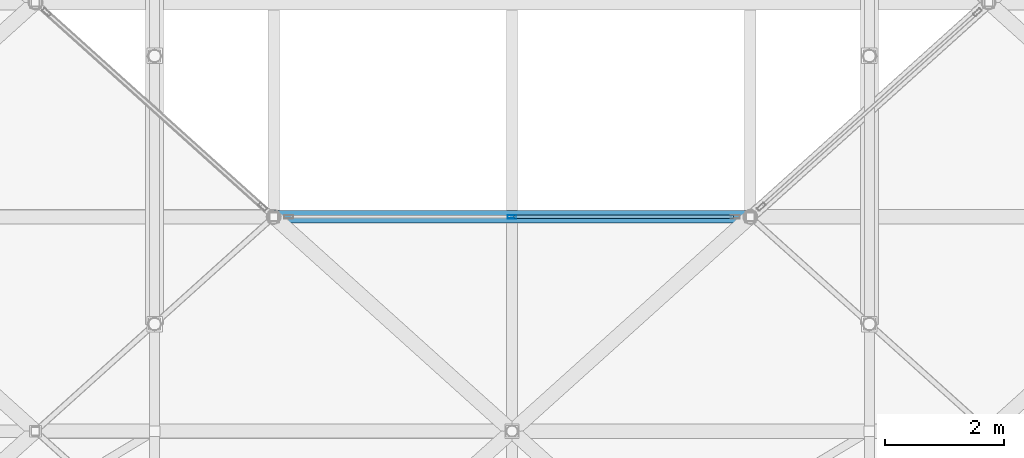
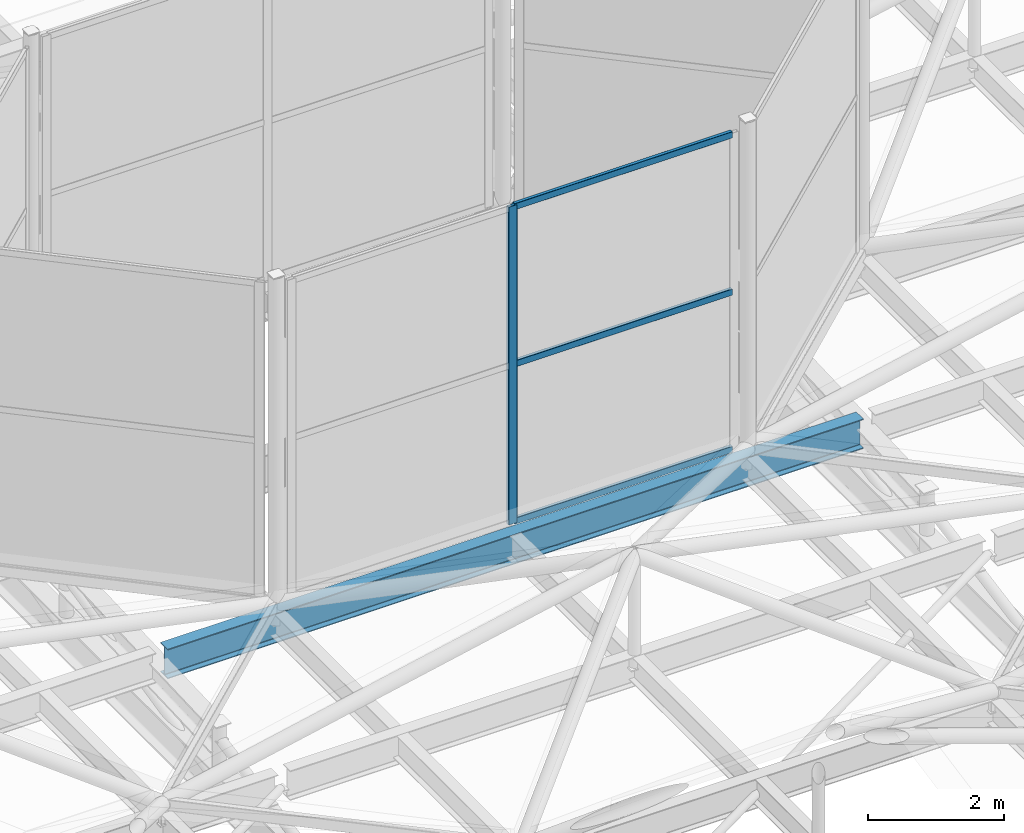
# One storey, part 24 of 239: 4 members, 1 beam, 1 element without a shape of its own.
"""IFC4 building model written with IfcOpenShell, lengths in metres."""

from ifc_helpers import new_model, si_unit, direction, frame, origin, origin_2d, place, context, subcontext, project, spatial, hollow_rectangle, i_section, extrude, material, layer, layer_set, material_profile, profile_set, type_object, element, aggregate, save


model = new_model("IFC4")

# Units and contexts
model_context = context("Model", 3, precision=1e-05, world=origin(), true_north=direction((0.0, 1.0)))
body_context = subcontext(model_context, "Body", "Model", "MODEL_VIEW")
ifc_project = project(units=[si_unit("LENGTHUNIT", "METRE"), si_unit("AREAUNIT", "SQUARE_METRE"), si_unit("VOLUMEUNIT", "CUBIC_METRE"), si_unit("PLANEANGLEUNIT", "RADIAN"), si_unit("MASSUNIT", "GRAM", prefix="KILO")], contexts=[model_context])

# Site, building, storey
site_placement = place(None, origin())
site = spatial("IfcSite", under=ifc_project, at=site_placement, CompositionType="ELEMENT")
building_placement = place(site_placement, origin())
building = spatial("IfcBuilding", under=site, at=building_placement, Name="Dunvalen Ferry Terminal", CompositionType="ELEMENT")
storey_placement = place(building_placement, frame((0.0, 0.0, 9.840087890625)))
storey = spatial("IfcBuildingStorey", under=building, at=storey_placement, Name="L02", CompositionType="ELEMENT", Elevation=9.840087890625)

# Curtain wall, members
ifc_material_1 = material(Name="Anodised marine aluminium and solar-control glazing", Category="aluminium")
ifc_layer = layer(ifc_material_1, 0.179931640625, Name="Anodised marine aluminium and solar-control glazing")
ifc_layer_set = layer_set([ifc_layer], Name="Anodised marine aluminium and solar-control glazing")
curtain_wall_type = type_object("IfcCurtainWallType", Name="ENV-CW-SYS-06", PredefinedType="NOTDEFINED", material=ifc_layer_set)
curtain_wall_placement = place(storey_placement, origin())
curtain_wall = element("IfcCurtainWall", 1, at=curtain_wall_placement, inside=storey, type_object=curtain_wall_type, Name="L02 Curtain Wall CW-HEX-25-SK-2", PredefinedType="NOTDEFINED")
ifc_material_2 = material(Name="Anodised marine aluminium EN AW-6063 T6", Category="aluminium")
ifc_material_profile_1 = material_profile(ifc_material_2, hollow_rectangle(XDim=0.06005859375, YDim=0.14990234375, WallThickness=0.00341796875, InnerFilletRadius=0.00341796875, OuterFilletRadius=0.007080078125, at=origin_2d()), Name="Anodised marine aluminium EN AW-6063 T6")
ifc_profile_set_1 = profile_set([ifc_material_profile_1], Name="Anodised marine aluminium EN AW-6063 T6")
member_type_1 = type_object("IfcMemberType", Name="ENV-CW-MUL-3", PredefinedType="MULLION", material=ifc_profile_set_1)
member_1_placement = place(storey_placement, frame((54.0, 61.199951171875, 1.139892578125), z_axis=(0.0, 0.0, 1.0), x_axis=(0.0, 1.0, 0.0)))
member_1 = element("IfcMember", 2, at=member_1_placement, type_object=member_type_1, Name="CW-06 mullion 2", PredefinedType="MULLION", context=body_context, shape_type="SweptSolid", body=[
    extrude(hollow_rectangle(XDim=0.06005859375, YDim=0.14990234375, WallThickness=0.00341796875, InnerFilletRadius=0.00341796875, OuterFilletRadius=0.007080078125, at=origin_2d()), origin(), (0.0, 0.0, 1.0), 5.699951171875),
])
ifc_material_profile_2 = material_profile(ifc_material_2, hollow_rectangle(XDim=0.06005859375, YDim=0.114990234375, WallThickness=0.0029296875, InnerFilletRadius=0.0029296875, OuterFilletRadius=0.006103515625, at=origin_2d()), Name="Anodised marine aluminium EN AW-6063 T6")
ifc_profile_set_2 = profile_set([ifc_material_profile_2], Name="Anodised marine aluminium EN AW-6063 T6")
member_type_2 = type_object("IfcMemberType", Name="ENV-CW-TRN-3", PredefinedType="USERDEFINED", material=ifc_profile_set_2)
member_2_placement = place(storey_placement, frame((54.030029296875, 61.199951171875, 1.169921875), z_axis=(1.0, 0.0, 0.0), x_axis=(0.0, 1.0, 0.0)))
member_2 = element("IfcMember", 3, at=member_2_placement, type_object=member_type_2, Name="CW-06 transom 2.1", ObjectType="TRANSOM", PredefinedType="USERDEFINED", context=body_context, shape_type="SweptSolid", body=[
    extrude(hollow_rectangle(XDim=0.06005859375, YDim=0.114990234375, WallThickness=0.0029296875, InnerFilletRadius=0.0029296875, OuterFilletRadius=0.006103515625, at=origin_2d()), origin(), (0.0, 0.0, 1.0), 3.68994140625),
])
member_3_placement = place(storey_placement, frame((54.030029296875, 61.199951171875, 3.989990234375), z_axis=(1.0, 0.0, 0.0), x_axis=(0.0, 1.0, 0.0)))
member_3 = element("IfcMember", 4, at=member_3_placement, type_object=member_type_2, Name="CW-06 transom 2.2", ObjectType="TRANSOM", PredefinedType="USERDEFINED", context=body_context, shape_type="SweptSolid", body=[
    extrude(hollow_rectangle(XDim=0.06005859375, YDim=0.114990234375, WallThickness=0.0029296875, InnerFilletRadius=0.0029296875, OuterFilletRadius=0.006103515625, at=origin_2d()), origin(), (0.0, 0.0, 1.0), 3.68994140625),
])
member_4_placement = place(storey_placement, frame((54.030029296875, 61.199951171875, 6.809814453125), z_axis=(1.0, 0.0, 0.0), x_axis=(0.0, 1.0, 0.0)))
member_4 = element("IfcMember", 5, at=member_4_placement, type_object=member_type_2, Name="CW-06 transom 2.3", ObjectType="TRANSOM", PredefinedType="USERDEFINED", context=body_context, shape_type="SweptSolid", body=[
    extrude(hollow_rectangle(XDim=0.06005859375, YDim=0.114990234375, WallThickness=0.0029296875, InnerFilletRadius=0.0029296875, OuterFilletRadius=0.006103515625, at=origin_2d()), origin(), (0.0, 0.0, 1.0), 3.68994140625),
])
aggregate(curtain_wall, [member_1, member_2, member_3, member_4])

# Beam
ifc_material_3 = material(Name="Steel S355", Category="steel")
ifc_material_profile_3 = material_profile(ifc_material_3, i_section(OverallWidth=0.209228515625, OverallDepth=0.533203125, WebThickness=0.010009765625, FlangeThickness=0.015625, FilletRadius=0.0126953125, at=origin_2d()), Name="Steel S355")
ifc_profile_set_3 = profile_set([ifc_material_profile_3], Name="Steel S355")
beam_type = type_object("IfcBeamType", Name="STR-BM-UKB533", PredefinedType="BEAM", material=ifc_profile_set_3)
beam_placement = place(storey_placement, frame((48.10009765625, 61.199951171875, 0.7333984375), z_axis=(1.0, 0.0, 0.0), x_axis=(0.0, 1.0, 0.0)))
element("IfcBeam", 6, at=beam_placement, inside=storey, type_object=beam_type, Name="Departure Hall Spine Girder B4.04", PredefinedType="BEAM", context=body_context, shape_type="SweptSolid", body=[
    extrude(i_section(OverallWidth=0.209228515625, OverallDepth=0.533203125, WebThickness=0.010009765625, FlangeThickness=0.015625, FilletRadius=0.0126953125, at=origin_2d()), origin(), (0.0, 0.0, 1.0), 11.7998046875),
])

save(model, "model.ifc")
